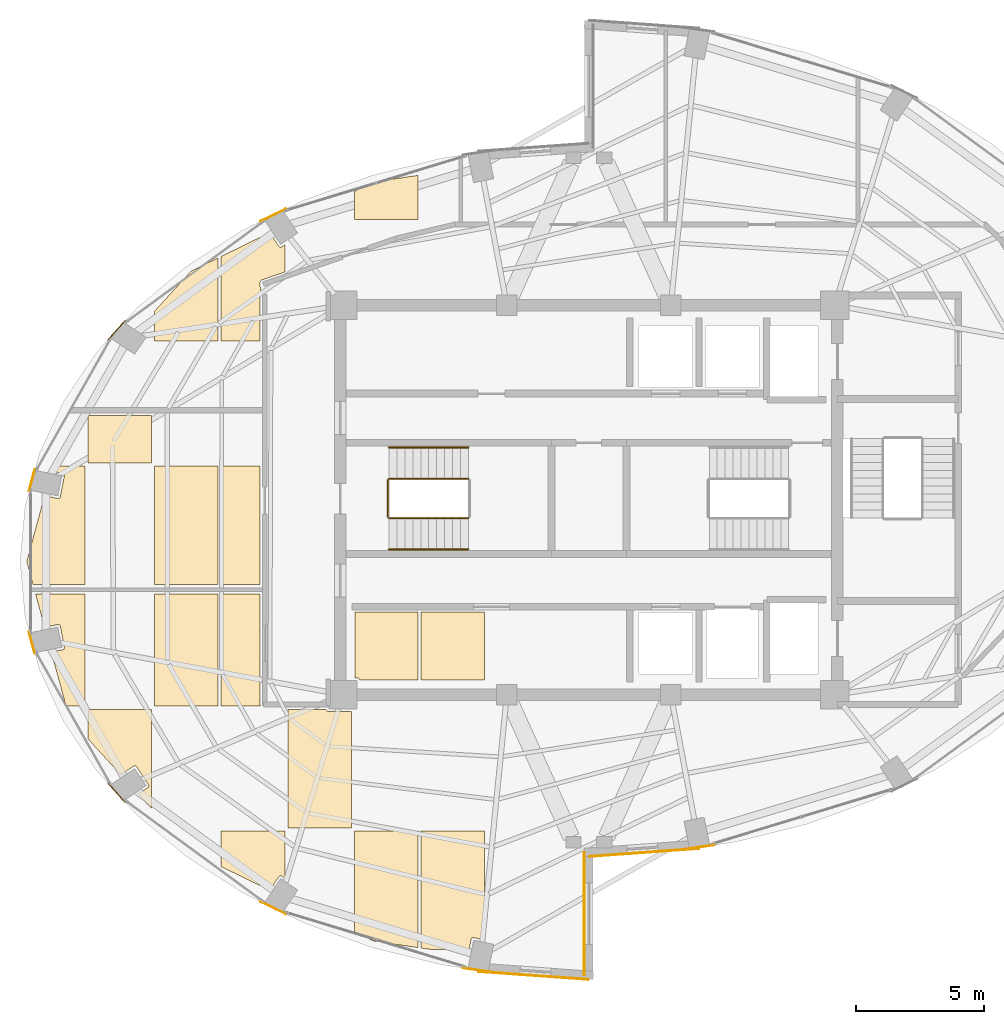
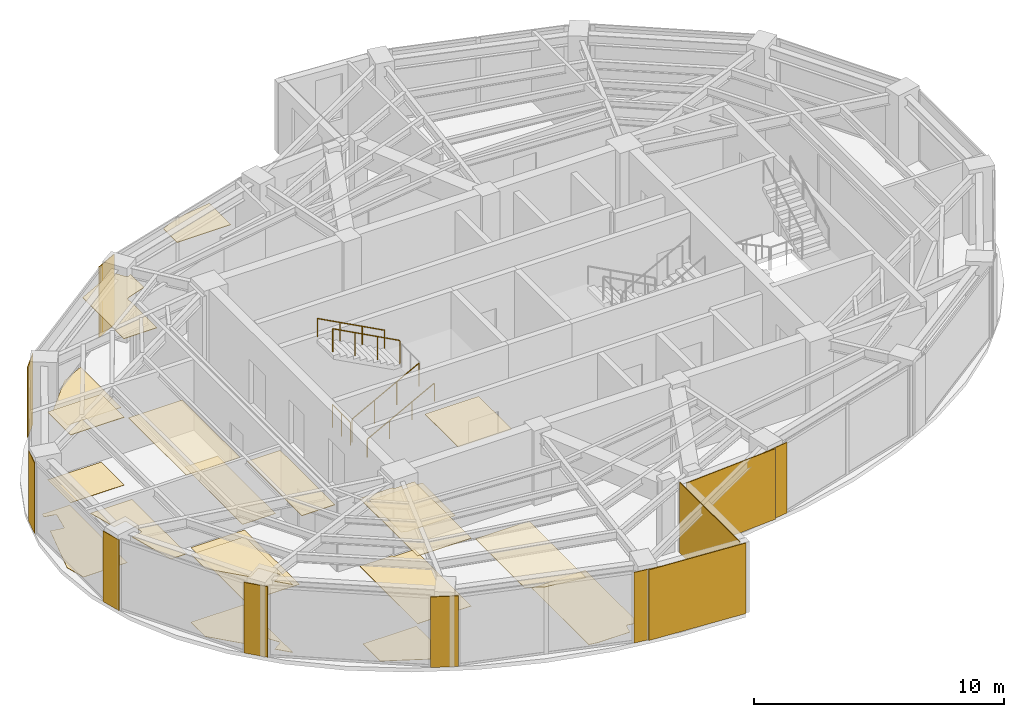
# One storey, part 21 of 22: 31 coverings, 5 railings.
"""IFC4 building model written with IfcOpenShell, lengths in metres."""

from ifc_helpers import new_model, si_unit, direction, frame, origin, origin_2d, place, context, subcontext, project, spatial, polyline, rectangle, circle, outline, extrude, material, layer, layer_set, type_object, element, save


model = new_model("IFC4")

# Units and contexts
model_context = context("Model", 3, precision=1e-05, world=origin(), true_north=direction((0.0, 1.0)))
body_context = subcontext(model_context, "Body", "Model", "MODEL_VIEW")
ifc_project = project(units=[si_unit("LENGTHUNIT", "METRE"), si_unit("AREAUNIT", "SQUARE_METRE"), si_unit("VOLUMEUNIT", "CUBIC_METRE"), si_unit("PLANEANGLEUNIT", "RADIAN"), si_unit("MASSUNIT", "GRAM", prefix="KILO")], contexts=[model_context])

# Site, building, storey
site_placement = place(None, origin())
site = spatial("IfcSite", under=ifc_project, at=site_placement, CompositionType="ELEMENT")
building_placement = place(site_placement, origin())
building = spatial("IfcBuilding", under=site, at=building_placement, Name="Lazwardi Medical Tower", CompositionType="ELEMENT")
storey_placement = place(building_placement, frame((0.0, 0.0, 238.60791015625)))
storey = spatial("IfcBuildingStorey", under=building, at=storey_placement, Name="L62", CompositionType="ELEMENT", Elevation=238.60791015625)

# Coverings
ifc_material_1 = material(Name="Anodised bronze aluminium cassette cladding", Category="aluminium")
ifc_layer_1 = layer(ifc_material_1, 0.030029296875)
ifc_layer_set_1 = layer_set([ifc_layer_1], Name="Anodised bronze aluminium cassette cladding")
covering_type_1 = type_object("IfcCoveringType", Name="COV-CLD-BRZ", PredefinedType="CLADDING", material=ifc_layer_set_1)
covering_1_placement = place(storey_placement, frame((40.3232421875, 14.450439453125, 0.0), z_axis=(0.0, 0.0, 1.0), x_axis=(0.989512431533, 0.144447733943, 0.0)))
element("IfcCovering", 1, at=covering_1_placement, inside=storey, type_object=covering_type_1, Name="L62 Mega-column bronze cassette cover M01", PredefinedType="CLADDING", context=body_context, shape_type="SweptSolid", body=[
    extrude(rectangle(XDim=1.188720703125, YDim=0.030029296875, at=origin_2d()), origin(), (0.0, 0.0, 1.0), 3.447998046875),
])
covering_2_placement = place(storey_placement, frame((23.688720703125, 39.121337890625, 0.0), z_axis=(0.0, 0.0, 1.0), x_axis=(-0.897840141691, -0.440321564278, 0.0)))
element("IfcCovering", 2, at=covering_2_placement, inside=storey, type_object=covering_type_1, Name="L62 Mega-column bronze cassette cover M10", PredefinedType="CLADDING", context=body_context, shape_type="SweptSolid", body=[
    extrude(rectangle(XDim=1.110595703125, YDim=0.030029296875, at=origin_2d()), origin(), (0.0, 0.0, 1.0), 3.447998046875),
])
covering_3_placement = place(storey_placement, frame((17.57470703125, 34.634765625, 0.0), z_axis=(0.0, 0.0, 1.0), x_axis=(-0.673240970654, -0.739423150458, 0.0)))
element("IfcCovering", 3, at=covering_3_placement, inside=storey, type_object=covering_type_1, Name="L62 Mega-column bronze cassette cover M11", PredefinedType="CLADDING", context=body_context, shape_type="SweptSolid", body=[
    extrude(rectangle(XDim=0.98974609375, YDim=0.030029296875, at=origin_2d()), origin(), (0.0, 0.0, 1.0), 3.447998046875),
])
for number, where, z_axis, x_axis, name in (
    (4, (14.265869140625, 28.772705078125, 0.0), (0.0, 0.0, 1.0), (-0.261641748247, -0.96516506131, 0.0), "L62 Mega-column bronze cassette cover M12"),
    (5, (14.265869140625, 22.427490234375, 0.0), (0.0, 0.0, 1.0), (0.261641748247, -0.96516506131, 0.0), "L62 Mega-column bronze cassette cover M13"),
):
    element("IfcCovering", number, at=place(storey_placement, frame(where, z_axis=z_axis, x_axis=x_axis)), inside=storey, type_object=covering_type_1, Name=name, PredefinedType="CLADDING", context=body_context, shape_type="SweptSolid", body=[
        extrude(rectangle(XDim=0.894287109375, YDim=0.030029296875, at=origin_2d()), origin(), (0.0, 0.0, 1.0), 3.447998046875),
    ])
covering_4_placement = place(storey_placement, frame((17.57470703125, 16.565185546875, 0.0), z_axis=(0.0, 0.0, 1.0), x_axis=(0.673240970654, -0.739423150458, 0.0)))
element("IfcCovering", 6, at=covering_4_placement, inside=storey, type_object=covering_type_1, Name="L62 Mega-column bronze cassette cover M14", PredefinedType="CLADDING", context=body_context, shape_type="SweptSolid", body=[
    extrude(rectangle(XDim=0.98974609375, YDim=0.030029296875, at=origin_2d()), origin(), (0.0, 0.0, 1.0), 3.447998046875),
])
covering_5_placement = place(storey_placement, frame((23.688720703125, 12.07861328125, 0.0), z_axis=(0.0, 0.0, 1.0), x_axis=(0.897840141691, -0.440321564278, 0.0)))
element("IfcCovering", 7, at=covering_5_placement, inside=storey, type_object=covering_type_1, Name="L62 Mega-column bronze cassette cover M15", PredefinedType="CLADDING", context=body_context, shape_type="SweptSolid", body=[
    extrude(rectangle(XDim=1.110595703125, YDim=0.030029296875, at=origin_2d()), origin(), (0.0, 0.0, 1.0), 3.447998046875),
])
covering_6_placement = place(storey_placement, frame((31.6767578125, 9.650390625, 0.0), z_axis=(0.0, 0.0, 1.0), x_axis=(0.989512431533, -0.144447733943, 0.0)))
element("IfcCovering", 8, at=covering_6_placement, inside=storey, type_object=covering_type_1, Name="L62 Mega-column bronze cassette cover M16", PredefinedType="CLADDING", context=body_context, shape_type="SweptSolid", body=[
    extrude(rectangle(XDim=1.188720703125, YDim=0.030029296875, at=origin_2d()), origin(), (0.0, 0.0, 1.0), 3.447998046875),
])
ifc_material_2 = material(Name="Turquoise glazed ceramic tilework cladding", Category="masonry")
ifc_layer_2 = layer(ifc_material_2, 0.034912109375)
ifc_layer_set_2 = layer_set([ifc_layer_2], Name="Turquoise glazed ceramic tilework cladding")
covering_type_2 = type_object("IfcCoveringType", Name="COV-CLD-TRQ", PredefinedType="CLADDING", material=ifc_layer_set_2)
covering_7_placement = place(storey_placement, frame((38.16259765625, 14.239990234375, 0.0), z_axis=(0.0, 0.0, 1.0), x_axis=(0.997409491337, 0.071932653157, 0.0)))
element("IfcCovering", 9, at=covering_7_placement, inside=storey, type_object=covering_type_2, Name="L62 Turquoise glazed ceramic tilework cladding", PredefinedType="CLADDING", context=body_context, shape_type="SweptSolid", body=[
    extrude(rectangle(XDim=4.31103515625, YDim=0.034912109375, at=origin_2d()), origin(), (0.0, 0.0, 1.0), 3.447998046875),
])
covering_8_placement = place(storey_placement, frame((33.83740234375, 9.43994140625, 0.0), z_axis=(0.0, 0.0, 1.0), x_axis=(0.997408989128, -0.071939616387, 0.0)))
element("IfcCovering", 10, at=covering_8_placement, inside=storey, type_object=covering_type_2, Name="L62 Turquoise glazed ceramic tilework cladding", PredefinedType="CLADDING", context=body_context, shape_type="SweptSolid", body=[
    extrude(rectangle(XDim=4.310546875, YDim=0.034912109375, at=origin_2d()), origin(), (0.0, 0.0, 1.0), 3.447998046875),
])
covering_9_placement = place(storey_placement, frame((35.824462890625, 11.860107421875, 0.0), z_axis=(0.0, 0.0, 1.0), x_axis=(0.0, 1.0, 0.0)))
element("IfcCovering", 11, at=covering_9_placement, inside=storey, type_object=covering_type_2, Name="L62 Turquoise glazed ceramic tilework iwan panel", PredefinedType="CLADDING", context=body_context, shape_type="SweptSolid", body=[
    extrude(rectangle(XDim=4.800048828125, YDim=0.034912109375, at=origin_2d()), origin(), (0.0, 0.0, 1.0), 3.447998046875),
])
ifc_material_3 = material(Name="Acoustic mineral fibre tile")
ifc_layer_3 = layer(ifc_material_3, 0.02490234375)
ifc_layer_set_3 = layer_set([ifc_layer_3], Name="Acoustic mineral fibre tile")
covering_type_3 = type_object("IfcCoveringType", Name="COV-CLG-01", PredefinedType="CEILING", material=ifc_layer_set_3)
covering_10_placement = place(storey_placement, frame((0.0, 0.0, 3.302978515625)))
element("IfcCovering", 12, at=covering_10_placement, inside=storey, type_object=covering_type_3, Name="L62 Clinical Acoustic Ceiling 1", PredefinedType="CEILING", context=body_context, shape_type="SweptSolid", body=[
    extrude(outline(polyline([(16.3330078125, 24.3349609375), (14.406494140625, 24.3349609375), (14.759521484375, 23.035888671875), (15.276611328125, 23.138671875), (15.2841796875, 23.139892578125), (15.2919921875, 23.14013671875), (15.2998046875, 23.139892578125), (15.3076171875, 23.138671875), (15.315185546875, 23.13671875), (15.32275390625, 23.134033203125), (15.329833984375, 23.130859375), (15.33642578125, 23.126708984375), (15.343017578125, 23.1220703125), (15.3486328125, 23.11669921875), (15.35400390625, 23.111083984375), (15.358642578125, 23.1044921875), (15.36279296875, 23.097900390625), (15.365966796875, 23.0908203125), (15.36865234375, 23.08349609375), (15.37060546875, 23.07568359375), (15.534423828125, 22.251953125), (15.53564453125, 22.244140625), (15.535888671875, 22.236328125), (15.53564453125, 22.228515625), (15.534423828125, 22.220703125), (15.53271484375, 22.213134765625), (15.52978515625, 22.205810546875), (15.526611328125, 22.19873046875), (15.5224609375, 22.19189453125), (15.517822265625, 22.185791015625), (15.5126953125, 22.1796875), (15.5068359375, 22.174560546875), (15.50048828125, 22.169921875), (15.49365234375, 22.165771484375), (15.486572265625, 22.16259765625), (15.479248046875, 22.159912109375), (15.4716796875, 22.157958984375), (15.0224609375, 22.068603515625), (15.597412109375, 19.952392578125), (16.3330078125, 19.952392578125), (16.3330078125, 24.3349609375)])), origin(), (0.0, 0.0, 1.0), 0.025146484375),
])
covering_11_placement = place(storey_placement, frame((0.0, 0.0, 3.302978515625)))
element("IfcCovering", 13, at=covering_11_placement, inside=storey, type_object=covering_type_3, Name="L62 Clinical Acoustic Ceiling 2", PredefinedType="CEILING", context=body_context, shape_type="SweptSolid", body=[
    extrude(outline(polyline([(16.452880859375, 18.677001953125), (17.7333984375, 17.273681640625), (18.236572265625, 17.60986328125), (18.2431640625, 17.614013671875), (18.250244140625, 17.6171875), (18.2578125, 17.6201171875), (18.265380859375, 17.621826171875), (18.273193359375, 17.623046875), (18.281005859375, 17.623291015625), (18.288818359375, 17.623046875), (18.29638671875, 17.621826171875), (18.30419921875, 17.6201171875), (18.3115234375, 17.6171875), (18.318603515625, 17.614013671875), (18.3251953125, 17.60986328125), (18.33154296875, 17.605224609375), (18.33740234375, 17.60009765625), (18.3427734375, 17.59423828125), (18.347412109375, 17.587890625), (18.814208984375, 16.889404296875), (18.818115234375, 16.8828125), (18.821533203125, 16.87548828125), (18.82421875, 16.8681640625), (18.826171875, 16.860595703125), (18.8271484375, 16.852783203125), (18.82763671875, 16.844970703125), (18.8271484375, 16.837158203125), (18.826171875, 16.829345703125), (18.82421875, 16.82177734375), (18.821533203125, 16.814453125), (18.818115234375, 16.807373046875), (18.814208984375, 16.800537109375), (18.809326171875, 16.794189453125), (18.80419921875, 16.788330078125), (18.79833984375, 16.783203125), (18.7919921875, 16.778564453125), (18.415283203125, 16.52685546875), (18.932861328125, 15.959716796875), (18.932861328125, 19.83251953125), (16.452880859375, 19.83251953125), (16.452880859375, 18.677001953125)])), origin(), (0.0, 0.0, 1.0), 0.025146484375),
])
covering_12_placement = place(storey_placement, frame((0.0, 0.0, 3.302978515625)))
element("IfcCovering", 14, at=covering_12_placement, inside=storey, type_object=covering_type_3, Name="L62 Clinical Acoustic Ceiling 3", PredefinedType="CEILING", context=body_context, shape_type="SweptSolid", body=[
    extrude(outline(polyline([(18.932861328125, 31.300048828125), (16.452880859375, 31.300048828125), (16.452880859375, 29.452392578125), (18.932861328125, 29.452392578125), (18.932861328125, 31.300048828125)])), origin(), (0.0, 0.0, 1.0), 0.025146484375),
])
covering_13_placement = place(storey_placement, frame((0.0, 0.0, 3.302978515625)))
element("IfcCovering", 15, at=covering_13_placement, inside=storey, type_object=covering_type_3, Name="L62 Clinical Acoustic Ceiling 4", PredefinedType="CEILING", context=body_context, shape_type="SweptSolid", body=[
    extrude(outline(polyline([(21.532958984375, 24.702392578125), (21.532958984375, 29.33251953125), (19.052978515625, 29.33251953125), (19.052978515625, 24.702392578125), (21.532958984375, 24.702392578125)])), origin(), (0.0, 0.0, 1.0), 0.025146484375),
])
covering_14_placement = place(storey_placement, frame((0.0, 0.0, 3.302978515625)))
element("IfcCovering", 16, at=covering_14_placement, inside=storey, type_object=covering_type_3, Name="L62 Clinical Acoustic Ceiling 5", PredefinedType="CEILING", context=body_context, shape_type="SweptSolid", body=[
    extrude(outline(polyline([(23.188720703125, 19.952392578125), (23.186767578125, 19.95703125), (23.18359375, 19.9658203125), (23.181396484375, 19.972900390625), (23.17919921875, 19.98193359375), (23.177490234375, 19.990234375), (23.17626953125, 19.99951171875), (23.175537109375, 20.00634765625), (23.175048828125, 20.015625), (23.175048828125, 20.02001953125), (23.175048828125, 24.3349609375), (21.65283203125, 24.3349609375), (21.65283203125, 19.952392578125), (23.188720703125, 19.952392578125)])), origin(), (0.0, 0.0, 1.0), 0.025146484375),
])
covering_15_placement = place(storey_placement, frame((0.0, 0.0, 3.302978515625)))
element("IfcCovering", 17, at=covering_15_placement, inside=storey, type_object=covering_type_3, Name="L62 Clinical Acoustic Ceiling 6", PredefinedType="CEILING", context=body_context, shape_type="SweptSolid", body=[
    extrude(outline(polyline([(24.1328125, 37.961181640625), (24.01171875, 37.88037109375), (24.0048828125, 37.876220703125), (23.997802734375, 37.872802734375), (23.990478515625, 37.8701171875), (23.98291015625, 37.868408203125), (23.97509765625, 37.8671875), (23.96728515625, 37.86669921875), (23.95947265625, 37.8671875), (23.95166015625, 37.868408203125), (23.944091796875, 37.8701171875), (23.9365234375, 37.872802734375), (23.929443359375, 37.876220703125), (23.9228515625, 37.88037109375), (23.91650390625, 37.885009765625), (23.91064453125, 37.89013671875), (23.905517578125, 37.89599609375), (23.900634765625, 37.90234375), (23.545654296875, 38.43359375), (21.65283203125, 37.5078125), (21.65283203125, 34.202392578125), (23.175048828125, 34.202392578125), (23.175048828125, 35.982421875), (23.175048828125, 35.986572265625), (23.175537109375, 35.99609375), (23.176513671875, 36.00439453125), (23.177978515625, 36.01416015625), (23.179443359375, 36.021484375), (23.181884765625, 36.031005859375), (23.1845703125, 36.039306640625), (23.18798828125, 36.04833984375), (23.191162109375, 36.055419921875), (23.1953125, 36.064208984375), (23.199462890625, 36.071533203125), (23.20458984375, 36.079833984375), (23.209228515625, 36.086181640625), (23.212158203125, 36.090087890625), (23.1591796875, 36.40625), (23.15869140625, 36.410400390625), (23.15771484375, 36.419921875), (23.156982421875, 36.42724609375), (23.156982421875, 36.436767578125), (23.1572265625, 36.446044921875), (23.158203125, 36.45556640625), (23.1591796875, 36.462158203125), (23.160888671875, 36.4716796875), (23.162841796875, 36.480224609375), (23.16552734375, 36.4892578125), (23.16796875, 36.49658203125), (23.171630859375, 36.50537109375), (23.1748046875, 36.512451171875), (23.17919921875, 36.52099609375), (23.183837890625, 36.5283203125), (23.189208984375, 36.536376953125), (23.19384765625, 36.54248046875), (23.199951171875, 36.550048828125), (23.205078125, 36.5556640625), (23.211669921875, 36.5625), (23.218017578125, 36.56787109375), (23.225341796875, 36.573974609375), (23.2314453125, 36.57861328125), (23.239501953125, 36.583740234375), (23.24658203125, 36.587890625), (23.2548828125, 36.59228515625), (23.2626953125, 36.595947265625), (23.271728515625, 36.599365234375), (23.27490234375, 36.6005859375), (24.1328125, 36.89599609375), (24.1328125, 37.961181640625)])), origin(), (0.0, 0.0, 1.0), 0.025146484375),
])
covering_16_placement = place(storey_placement, frame((0.0, 0.0, 3.302978515625)))
element("IfcCovering", 18, at=covering_16_placement, inside=storey, type_object=covering_type_3, Name="L62 Clinical Acoustic Ceiling 7", PredefinedType="CEILING", context=body_context, shape_type="SweptSolid", body=[
    extrude(outline(polyline([(26.73291015625, 19.75), (25.830078125, 19.75), (25.822265625, 19.75048828125), (25.814453125, 19.75146484375), (25.806884765625, 19.75341796875), (25.79931640625, 19.756103515625), (25.792236328125, 19.759521484375), (25.78564453125, 19.763427734375), (25.779296875, 19.768310546875), (25.7734375, 19.7734375), (25.768310546875, 19.779296875), (25.763427734375, 19.78564453125), (25.759521484375, 19.792236328125), (25.756103515625, 19.79931640625), (25.75341796875, 19.806884765625), (25.75146484375, 19.814453125), (25.75048828125, 19.822265625), (25.75, 19.830078125), (25.75, 19.83251953125), (24.2529296875, 19.83251953125), (24.2529296875, 15.202392578125), (26.73291015625, 15.202392578125), (26.73291015625, 19.75)])), origin(), (0.0, 0.0, 1.0), 0.025146484375),
])
covering_17_placement = place(storey_placement, frame((0.0, 0.0, 3.302978515625)))
element("IfcCovering", 19, at=covering_17_placement, inside=storey, type_object=covering_type_3, Name="L62 Clinical Acoustic Ceiling 8", PredefinedType="CEILING", context=body_context, shape_type="SweptSolid", body=[
    extrude(outline(polyline([(26.852783203125, 11.1484375), (27.59716796875, 10.784423828125), (29.3330078125, 10.53173828125), (29.3330078125, 15.08251953125), (26.852783203125, 15.08251953125), (26.852783203125, 11.1484375)])), origin(), (0.0, 0.0, 1.0), 0.025146484375),
])
covering_18_placement = place(storey_placement, frame((0.0, 0.0, 3.302978515625)))
element("IfcCovering", 20, at=covering_18_placement, inside=storey, type_object=covering_type_3, Name="L62 Clinical Acoustic Ceiling 9", PredefinedType="CEILING", context=body_context, shape_type="SweptSolid", body=[
    extrude(outline(polyline([(29.3330078125, 40.668212890625), (27.59716796875, 40.41552734375), (26.852783203125, 40.051513671875), (26.852783203125, 38.952392578125), (29.3330078125, 38.952392578125), (29.3330078125, 40.668212890625)])), origin(), (0.0, 0.0, 1.0), 0.025146484375),
])
covering_19_placement = place(storey_placement, frame((0.0, 0.0, 3.302978515625)))
element("IfcCovering", 21, at=covering_19_placement, inside=storey, type_object=covering_type_3, Name="L62 Clinical Acoustic Ceiling 10", PredefinedType="CEILING", context=body_context, shape_type="SweptSolid", body=[
    extrude(outline(polyline([(31.932861328125, 23.6201171875), (29.452880859375, 23.6201171875), (29.452880859375, 20.97998046875), (31.932861328125, 20.97998046875), (31.932861328125, 23.6201171875)])), origin(), (0.0, 0.0, 1.0), 0.025146484375),
])
ifc_material_4 = material(Name="Anti-static hospital vinyl sheet flooring")
ifc_layer_4 = layer(ifc_material_4, 0.014892578125)
ifc_layer_set_4 = layer_set([ifc_layer_4], Name="Anti-static hospital vinyl sheet flooring")
covering_type_4 = type_object("IfcCoveringType", Name="COV-FLR-01", PredefinedType="FLOORING", material=ifc_layer_set_4)
covering_20_placement = place(storey_placement, origin())
element("IfcCovering", 22, at=covering_20_placement, inside=storey, type_object=covering_type_4, Name="L62 Clinical Vinyl Flooring 1", PredefinedType="FLOORING", context=body_context, shape_type="SweptSolid", body=[
    extrude(outline(polyline([(15.0771484375, 29.33251953125), (15.0224609375, 29.13134765625), (15.4716796875, 29.0419921875), (15.479248046875, 29.040283203125), (15.486572265625, 29.03759765625), (15.49365234375, 29.0341796875), (15.50048828125, 29.030029296875), (15.5068359375, 29.025390625), (15.5126953125, 29.020263671875), (15.517822265625, 29.014404296875), (15.5224609375, 29.008056640625), (15.526611328125, 29.001220703125), (15.52978515625, 28.994140625), (15.53271484375, 28.98681640625), (15.534423828125, 28.979248046875), (15.53564453125, 28.971435546875), (15.535888671875, 28.963623046875), (15.53564453125, 28.955810546875), (15.534423828125, 28.947998046875), (15.37060546875, 28.124267578125), (15.36865234375, 28.11669921875), (15.365966796875, 28.109130859375), (15.36279296875, 28.10205078125), (15.358642578125, 28.095458984375), (15.35400390625, 28.089111328125), (15.3486328125, 28.083251953125), (15.343017578125, 28.077880859375), (15.33642578125, 28.0732421875), (15.329833984375, 28.069091796875), (15.32275390625, 28.06591796875), (15.315185546875, 28.063232421875), (15.3076171875, 28.061279296875), (15.2998046875, 28.060302734375), (15.2919921875, 28.059814453125), (15.2841796875, 28.060302734375), (15.276611328125, 28.061279296875), (14.759521484375, 28.1640625), (14.06298828125, 25.60009765625), (14.306884765625, 24.702392578125), (16.3330078125, 24.702392578125), (16.3330078125, 29.33251953125), (15.0771484375, 29.33251953125)])), origin(), (0.0, 0.0, 1.0), 0.01513671875),
])
covering_21_placement = place(storey_placement, origin())
element("IfcCovering", 23, at=covering_21_placement, inside=storey, type_object=covering_type_4, Name="L62 Clinical Vinyl Flooring 2", PredefinedType="FLOORING", context=body_context, shape_type="SweptSolid", body=[
    extrude(outline(polyline([(16.452880859375, 18.677001953125), (17.7333984375, 17.273681640625), (18.236572265625, 17.60986328125), (18.2431640625, 17.614013671875), (18.250244140625, 17.6171875), (18.2578125, 17.6201171875), (18.265380859375, 17.621826171875), (18.273193359375, 17.623046875), (18.281005859375, 17.623291015625), (18.288818359375, 17.623046875), (18.29638671875, 17.621826171875), (18.30419921875, 17.6201171875), (18.3115234375, 17.6171875), (18.318603515625, 17.614013671875), (18.3251953125, 17.60986328125), (18.33154296875, 17.605224609375), (18.33740234375, 17.60009765625), (18.3427734375, 17.59423828125), (18.347412109375, 17.587890625), (18.814208984375, 16.889404296875), (18.818115234375, 16.8828125), (18.821533203125, 16.87548828125), (18.82421875, 16.8681640625), (18.826171875, 16.860595703125), (18.8271484375, 16.852783203125), (18.82763671875, 16.844970703125), (18.8271484375, 16.837158203125), (18.826171875, 16.829345703125), (18.82421875, 16.82177734375), (18.821533203125, 16.814453125), (18.818115234375, 16.807373046875), (18.814208984375, 16.800537109375), (18.809326171875, 16.794189453125), (18.80419921875, 16.788330078125), (18.79833984375, 16.783203125), (18.7919921875, 16.778564453125), (18.415283203125, 16.52685546875), (18.932861328125, 15.959716796875), (18.932861328125, 19.83251953125), (16.452880859375, 19.83251953125), (16.452880859375, 18.677001953125)])), origin(), (0.0, 0.0, 1.0), 0.01513671875),
])
covering_22_placement = place(storey_placement, origin())
element("IfcCovering", 24, at=covering_22_placement, inside=storey, type_object=covering_type_4, Name="L62 Clinical Vinyl Flooring 3", PredefinedType="FLOORING", context=body_context, shape_type="SweptSolid", body=[
    extrude(outline(polyline([(18.932861328125, 31.300048828125), (16.452880859375, 31.300048828125), (16.452880859375, 29.452392578125), (18.932861328125, 29.452392578125), (18.932861328125, 31.300048828125)])), origin(), (0.0, 0.0, 1.0), 0.01513671875),
])
covering_23_placement = place(storey_placement, origin())
element("IfcCovering", 25, at=covering_23_placement, inside=storey, type_object=covering_type_4, Name="L62 Clinical Vinyl Flooring 4", PredefinedType="FLOORING", context=body_context, shape_type="SweptSolid", body=[
    extrude(outline(polyline([(21.532958984375, 24.3349609375), (19.052978515625, 24.3349609375), (19.052978515625, 19.952392578125), (21.532958984375, 19.952392578125), (21.532958984375, 24.3349609375)])), origin(), (0.0, 0.0, 1.0), 0.01513671875),
])
covering_24_placement = place(storey_placement, origin())
element("IfcCovering", 26, at=covering_24_placement, inside=storey, type_object=covering_type_4, Name="L62 Clinical Vinyl Flooring 5", PredefinedType="FLOORING", context=body_context, shape_type="SweptSolid", body=[
    extrude(outline(polyline([(21.532958984375, 37.44921875), (20.478271484375, 36.933349609375), (19.052978515625, 35.37158203125), (19.052978515625, 34.202392578125), (21.532958984375, 34.202392578125), (21.532958984375, 37.44921875)])), origin(), (0.0, 0.0, 1.0), 0.01513671875),
])
covering_25_placement = place(storey_placement, origin())
element("IfcCovering", 27, at=covering_25_placement, inside=storey, type_object=covering_type_4, Name="L62 Clinical Vinyl Flooring 6", PredefinedType="FLOORING", context=body_context, shape_type="SweptSolid", body=[
    extrude(outline(polyline([(21.65283203125, 13.692138671875), (23.545654296875, 12.766357421875), (23.900634765625, 13.297607421875), (23.905517578125, 13.303955078125), (23.91064453125, 13.309814453125), (23.91650390625, 13.31494140625), (23.9228515625, 13.319580078125), (23.929443359375, 13.32373046875), (23.9365234375, 13.3271484375), (23.944091796875, 13.329833984375), (23.95166015625, 13.331787109375), (23.95947265625, 13.332763671875), (23.96728515625, 13.333251953125), (23.97509765625, 13.332763671875), (23.98291015625, 13.331787109375), (23.990478515625, 13.329833984375), (23.997802734375, 13.3271484375), (24.0048828125, 13.32373046875), (24.01171875, 13.319580078125), (24.1328125, 13.23876953125), (24.1328125, 15.08251953125), (21.65283203125, 15.08251953125), (21.65283203125, 13.692138671875)])), origin(), (0.0, 0.0, 1.0), 0.01513671875),
])
covering_26_placement = place(storey_placement, origin())
element("IfcCovering", 28, at=covering_26_placement, inside=storey, type_object=covering_type_4, Name="L62 Clinical Vinyl Flooring 7", PredefinedType="FLOORING", context=body_context, shape_type="SweptSolid", body=[
    extrude(outline(polyline([(23.175048828125, 24.702392578125), (23.175048828125, 29.33251953125), (21.65283203125, 29.33251953125), (21.65283203125, 24.702392578125), (23.175048828125, 24.702392578125)])), origin(), (0.0, 0.0, 1.0), 0.01513671875),
])
covering_27_placement = place(storey_placement, origin())
element("IfcCovering", 29, at=covering_27_placement, inside=storey, type_object=covering_type_4, Name="L62 Clinical Vinyl Flooring 8", PredefinedType="FLOORING", context=body_context, shape_type="SweptSolid", body=[
    extrude(outline(polyline([(26.73291015625, 19.75), (25.830078125, 19.75), (25.822265625, 19.75048828125), (25.814453125, 19.75146484375), (25.806884765625, 19.75341796875), (25.79931640625, 19.756103515625), (25.792236328125, 19.759521484375), (25.78564453125, 19.763427734375), (25.779296875, 19.768310546875), (25.7734375, 19.7734375), (25.768310546875, 19.779296875), (25.763427734375, 19.78564453125), (25.759521484375, 19.792236328125), (25.756103515625, 19.79931640625), (25.75341796875, 19.806884765625), (25.75146484375, 19.814453125), (25.75048828125, 19.822265625), (25.75, 19.830078125), (25.75, 19.83251953125), (24.2529296875, 19.83251953125), (24.2529296875, 15.202392578125), (26.73291015625, 15.202392578125), (26.73291015625, 19.75)])), origin(), (0.0, 0.0, 1.0), 0.01513671875),
])
covering_28_placement = place(storey_placement, origin())
element("IfcCovering", 30, at=covering_28_placement, inside=storey, type_object=covering_type_4, Name="L62 Clinical Vinyl Flooring 9", PredefinedType="FLOORING", context=body_context, shape_type="SweptSolid", body=[
    extrude(outline(polyline([(29.3330078125, 23.6201171875), (26.8798828125, 23.6201171875), (26.8798828125, 21.050048828125), (26.969970703125, 21.050048828125), (26.977783203125, 21.049560546875), (26.985595703125, 21.048583984375), (26.9931640625, 21.046630859375), (27.00048828125, 21.0439453125), (27.0078125, 21.04052734375), (27.014404296875, 21.03662109375), (27.020751953125, 21.03173828125), (27.026611328125, 21.026611328125), (27.03173828125, 21.020751953125), (27.03662109375, 21.014404296875), (27.04052734375, 21.0078125), (27.0439453125, 21.00048828125), (27.046630859375, 20.9931640625), (27.048583984375, 20.985595703125), (27.04931640625, 20.97998046875), (29.3330078125, 20.97998046875), (29.3330078125, 23.6201171875)])), origin(), (0.0, 0.0, 1.0), 0.01513671875),
])
covering_29_placement = place(storey_placement, origin())
element("IfcCovering", 31, at=covering_29_placement, inside=storey, type_object=covering_type_4, Name="L62 Clinical Vinyl Flooring 10", PredefinedType="FLOORING", context=body_context, shape_type="SweptSolid", body=[
    extrude(outline(polyline([(29.452880859375, 10.51416015625), (29.876953125, 10.452392578125), (31.326171875, 10.452392578125), (31.40673828125, 10.8583984375), (31.40869140625, 10.865966796875), (31.411376953125, 10.873291015625), (31.414794921875, 10.88037109375), (31.418701171875, 10.88720703125), (31.423583984375, 10.8935546875), (31.4287109375, 10.8994140625), (31.4345703125, 10.904541015625), (31.44091796875, 10.9091796875), (31.447509765625, 10.913330078125), (31.45458984375, 10.91650390625), (31.462158203125, 10.919189453125), (31.4697265625, 10.921142578125), (31.4775390625, 10.92236328125), (31.4853515625, 10.922607421875), (31.4931640625, 10.92236328125), (31.5009765625, 10.921142578125), (31.932861328125, 10.835205078125), (31.932861328125, 15.08251953125), (29.452880859375, 15.08251953125), (29.452880859375, 10.51416015625)])), origin(), (0.0, 0.0, 1.0), 0.01513671875),
])

# Railings
ifc_material_5 = material(Name="Stainless steel Grade 316", Category="steel")
railing_type_1 = type_object("IfcRailingType", Name="RLG-GRD-1150", PredefinedType="GUARDRAIL", material=ifc_material_5)
railing_1_placement = place(storey_placement, frame((28.199951171875, 27.2900390625, 0.166015625)))
element("IfcRailing", 32, at=railing_1_placement, inside=storey, type_object=railing_type_1, Name="L62 ST1 stair guard 1", PredefinedType="GUARDRAIL", context=body_context, shape_type="SweptSolid", body=[
    extrude(circle(Radius=0.02392578125, at=origin_2d()), frame((0.0, 0.0, 1.1259765625), z_axis=(0.881812178953, 0.0, 0.471600764472), x_axis=(0.0, 1.0, 0.0)), (0.0, 0.0, 1.0), 3.515625),
    extrude(circle(Radius=0.02099609375, at=origin_2d()), origin(), (0.0, 0.0, 1.0), 1.099853515625),
    extrude(circle(Radius=0.02099609375, at=origin_2d()), frame((1.033447265625, 0.0, 0.552734375)), (0.0, 0.0, 1.0), 1.099853515625),
    extrude(circle(Radius=0.02099609375, at=origin_2d()), frame((2.066650390625, 0.0, 1.105224609375)), (0.0, 0.0, 1.0), 1.099853515625),
    extrude(circle(Radius=0.02099609375, at=origin_2d()), frame((3.10009765625, 0.0, 1.657958984375)), (0.0, 0.0, 1.0), 1.099853515625),
])
railing_2_placement = place(storey_placement, frame((31.300048828125, 28.830078125, 1.989990234375)))
element("IfcRailing", 33, at=railing_2_placement, inside=storey, type_object=railing_type_1, Name="L62 ST1 stair guard 3", PredefinedType="GUARDRAIL", context=body_context, shape_type="SweptSolid", body=[
    extrude(circle(Radius=0.02392578125, at=origin_2d()), frame((0.0, 0.0, 1.1259765625), z_axis=(-0.881783298633, 0.0, 0.471654761719), x_axis=(0.0, -1.0, 0.0)), (0.0, 0.0, 1.0), 3.515625),
    extrude(circle(Radius=0.02099609375, at=origin_2d()), origin(), (0.0, 0.0, 1.0), 1.099853515625),
    extrude(circle(Radius=0.02099609375, at=origin_2d()), frame((-1.033447265625, 0.0, 0.552734375)), (0.0, 0.0, 1.0), 1.099853515625),
    extrude(circle(Radius=0.02099609375, at=origin_2d()), frame((-2.066650390625, 0.0, 1.10546875)), (0.0, 0.0, 1.0), 1.099853515625),
    extrude(circle(Radius=0.02099609375, at=origin_2d()), frame((-3.10009765625, 0.0, 1.658203125)), (0.0, 0.0, 1.0), 1.099853515625),
])
railing_3_placement = place(storey_placement, frame((28.14990234375, 27.340087890625, 0.0)))
element("IfcRailing", 34, at=railing_3_placement, inside=storey, type_object=railing_type_1, Name="L62 ST1 stair guard 4", PredefinedType="GUARDRAIL", context=body_context, shape_type="SweptSolid", body=[
    extrude(circle(Radius=0.02392578125, at=origin_2d()), frame((0.0, 0.0, 1.1259765625), z_axis=(0.0, 1.0, 0.0), x_axis=(-1.0, 0.0, 0.0)), (0.0, 0.0, 1.0), 1.43994140625),
    extrude(circle(Radius=0.02099609375, at=origin_2d()), origin(), (0.0, 0.0, 1.0), 1.099853515625),
    extrude(circle(Radius=0.02099609375, at=origin_2d()), frame((0.0, 0.719970703125, 0.0)), (0.0, 0.0, 1.0), 1.099853515625),
    extrude(circle(Radius=0.02099609375, at=origin_2d()), frame((0.0, 1.43994140625, 0.0)), (0.0, 0.0, 1.0), 1.099853515625),
])
railing_type_2 = type_object("IfcRailingType", Name="RLG-HND-920", PredefinedType="HANDRAIL", material=ifc_material_5)
railing_4_placement = place(storey_placement, frame((28.199951171875, 26.070068359375, 0.166015625)))
element("IfcRailing", 35, at=railing_4_placement, inside=storey, type_object=railing_type_2, Name="L62 ST1 stair handrail 1", PredefinedType="HANDRAIL", context=body_context, shape_type="SweptSolid", body=[
    extrude(circle(Radius=0.02392578125, at=origin_2d()), frame((0.0, 0.0, 0.8857421875), z_axis=(0.881812178953, 0.0, 0.471600764472), x_axis=(0.0, 1.0, 0.0)), (0.0, 0.0, 1.0), 3.515625),
    extrude(circle(Radius=0.02099609375, at=origin_2d()), origin(), (0.0, 0.0, 1.0), 0.85986328125),
    extrude(circle(Radius=0.02099609375, at=origin_2d()), frame((1.033447265625, 0.0, 0.552734375)), (0.0, 0.0, 1.0), 0.85986328125),
    extrude(circle(Radius=0.02099609375, at=origin_2d()), frame((2.066650390625, 0.0, 1.105224609375)), (0.0, 0.0, 1.0), 0.85986328125),
    extrude(circle(Radius=0.02099609375, at=origin_2d()), frame((3.10009765625, 0.0, 1.657958984375)), (0.0, 0.0, 1.0), 0.85986328125),
])
railing_5_placement = place(storey_placement, frame((31.300048828125, 30.050048828125, 1.989990234375)))
element("IfcRailing", 36, at=railing_5_placement, inside=storey, type_object=railing_type_2, Name="L62 ST1 stair handrail 2", PredefinedType="HANDRAIL", context=body_context, shape_type="SweptSolid", body=[
    extrude(circle(Radius=0.02392578125, at=origin_2d()), frame((0.0, 0.0, 0.8857421875), z_axis=(-0.881783298633, 0.0, 0.471654761719), x_axis=(0.0, -1.0, 0.0)), (0.0, 0.0, 1.0), 3.515625),
    extrude(circle(Radius=0.02099609375, at=origin_2d()), origin(), (0.0, 0.0, 1.0), 0.85986328125),
    extrude(circle(Radius=0.02099609375, at=origin_2d()), frame((-1.033447265625, 0.0, 0.552734375)), (0.0, 0.0, 1.0), 0.85986328125),
    extrude(circle(Radius=0.02099609375, at=origin_2d()), frame((-2.066650390625, 0.0, 1.10546875)), (0.0, 0.0, 1.0), 0.85986328125),
    extrude(circle(Radius=0.02099609375, at=origin_2d()), frame((-3.10009765625, 0.0, 1.658203125)), (0.0, 0.0, 1.0), 0.85986328125),
])

save(model, "model.ifc")
